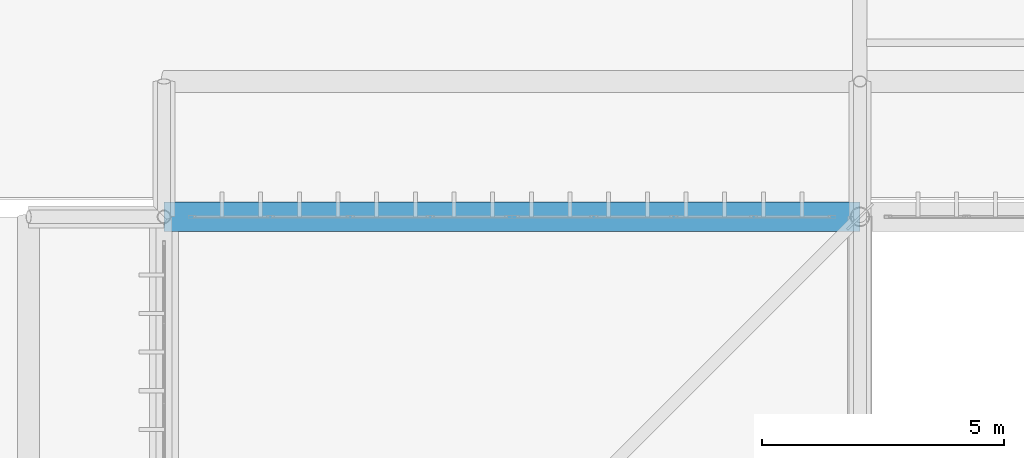
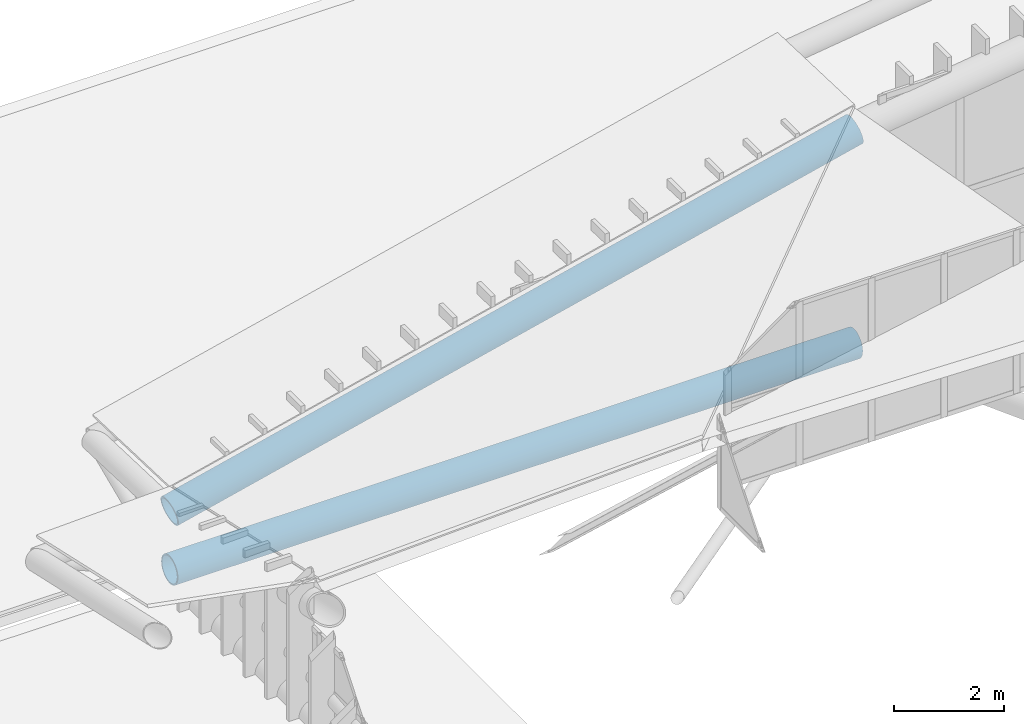
# One storey, part 228 of 397: 2 beams.
"""IFC4 building model written with IfcOpenShell, lengths in metres."""

from ifc_helpers import new_model, si_unit, direction, frame, origin, origin_2d, place, context, subcontext, project, spatial, hollow_circle, extrude, material, material_profile, profile_set, type_object, element, save


model = new_model("IFC4")

# Units and contexts
model_context = context("Model", 3, precision=1e-05, world=origin(), true_north=direction((0.0, 1.0)))
body_context = subcontext(model_context, "Body", "Model", "MODEL_VIEW")
ifc_project = project(units=[si_unit("LENGTHUNIT", "METRE"), si_unit("AREAUNIT", "SQUARE_METRE"), si_unit("VOLUMEUNIT", "CUBIC_METRE"), si_unit("PLANEANGLEUNIT", "RADIAN"), si_unit("MASSUNIT", "GRAM", prefix="KILO")], contexts=[model_context])

# Site, building, storey
site_placement = place(None, origin())
site = spatial("IfcSite", under=ifc_project, at=site_placement, CompositionType="ELEMENT")
building_placement = place(site_placement, origin())
building = spatial("IfcBuilding", under=site, at=building_placement, Name="Qandorah Velis Arena", CompositionType="ELEMENT")
storey_placement = place(building_placement, frame((0.0, 0.0, 27.5)))
storey = spatial("IfcBuildingStorey", under=building, at=storey_placement, Name="RF", CompositionType="ELEMENT", Elevation=27.5)

# Beams
ifc_material = material(Name="Steel S460", Category="steel")
ifc_material_profile_1 = material_profile(ifc_material, hollow_circle(Radius=0.304931640625, WallThickness=0.02490234375, at=origin_2d()), Name="CHS 610x25")
ifc_profile_set_1 = profile_set([ifc_material_profile_1], Name="Steel S460")
beam_type_1 = type_object("IfcBeamType", Name="STR-SFC-CHS610X25", PredefinedType="USERDEFINED", material=ifc_profile_set_1)
beam_1_placement = place(storey_placement, frame((14.39990234375, 115.199951171875, 0.10009765625), z_axis=(1.0, 0.0, 0.0), x_axis=(0.0, 1.0, 0.0)))
element("IfcBeam", 1, at=beam_1_placement, inside=storey, type_object=beam_type_1, Name="Space frame roof truss bottom chord X 0.7", ObjectType="ROOF TRUSS", PredefinedType="USERDEFINED", context=body_context, shape_type="SweptSolid", body=[
    extrude(hollow_circle(Radius=0.304931640625, WallThickness=0.02490234375, at=origin_2d()), origin(), (0.0, 0.0, 1.0), 14.400146484375),
])
ifc_material_profile_2 = material_profile(ifc_material, hollow_circle(Radius=0.304931640625, WallThickness=0.031982421875, at=origin_2d()), Name="CHS 610x32")
ifc_profile_set_2 = profile_set([ifc_material_profile_2], Name="Steel S460")
beam_type_2 = type_object("IfcBeamType", Name="STR-SFC-CHS610X32", PredefinedType="USERDEFINED", material=ifc_profile_set_2)
beam_2_placement = place(storey_placement, frame((14.39990234375, 115.199951171875, 1.39990234375), z_axis=(0.97245057016, 0.0, 0.233109177415), x_axis=(0.0, 1.0, 0.0)))
element("IfcBeam", 2, at=beam_2_placement, inside=storey, type_object=beam_type_2, Name="Space frame roof truss top chord X 0.7", ObjectType="ROOF TRUSS", PredefinedType="USERDEFINED", context=body_context, shape_type="SweptSolid", body=[
    extrude(hollow_circle(Radius=0.304931640625, WallThickness=0.031982421875, at=origin_2d()), origin(), (0.0, 0.0, 1.0), 14.80810546875),
])

save(model, "model.ifc")
